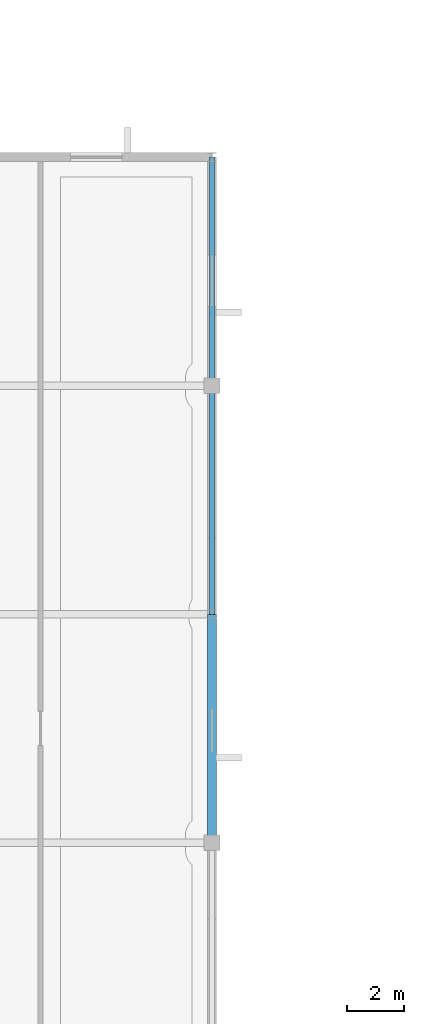
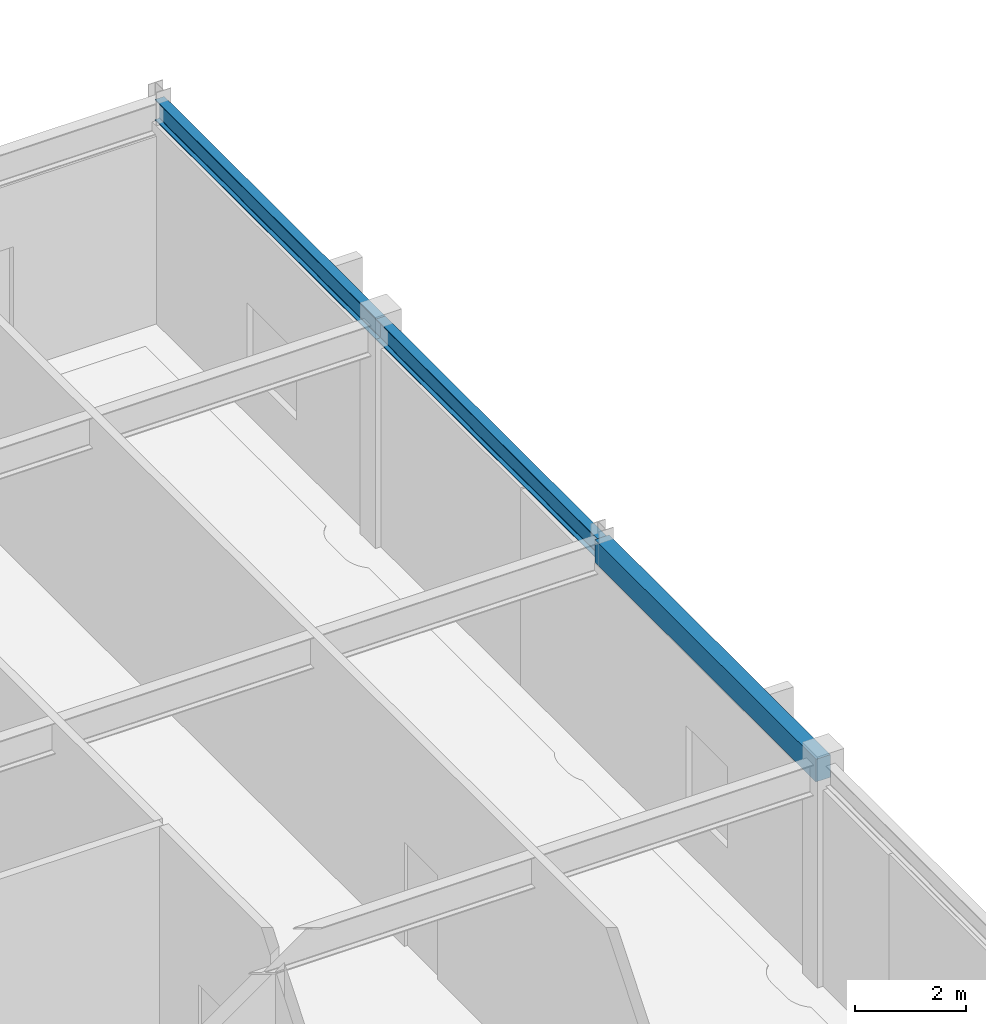
# One storey, part 42 of 107: 3 beams.
"""IFC4 building model written with IfcOpenShell, lengths in metres."""

from ifc_helpers import new_model, si_unit, direction, frame, origin, origin_2d, place, context, subcontext, project, spatial, rectangle, i_section, extrude, material, material_profile, profile_set, type_object, element, save


model = new_model("IFC4")

# Units and contexts
model_context = context("Model", 3, precision=1e-05, world=origin(), true_north=direction((0.0, 1.0)))
body_context = subcontext(model_context, "Body", "Model", "MODEL_VIEW")
ifc_project = project(units=[si_unit("LENGTHUNIT", "METRE"), si_unit("AREAUNIT", "SQUARE_METRE"), si_unit("VOLUMEUNIT", "CUBIC_METRE"), si_unit("PLANEANGLEUNIT", "RADIAN"), si_unit("MASSUNIT", "GRAM", prefix="KILO")], contexts=[model_context])

# Site, building, storey
site_placement = place(None, origin())
site = spatial("IfcSite", under=ifc_project, at=site_placement, CompositionType="ELEMENT")
building_placement = place(site_placement, origin())
building = spatial("IfcBuilding", under=site, at=building_placement, Name="Tarnveldt Square Police Headquarters", CompositionType="ELEMENT")
storey_placement = place(building_placement, frame((0.0, 0.0, 14.699951171875)))
storey = spatial("IfcBuildingStorey", under=building, at=storey_placement, Name="L03", CompositionType="ELEMENT", Elevation=14.699951171875)

# Beams
ifc_material_1 = material(Name="Concrete 40 MPa", Category="concrete")
ifc_material_profile_1 = material_profile(ifc_material_1, rectangle(XDim=0.300048828125, YDim=0.5, at=origin_2d()), Name="RC-B300x500")
ifc_profile_set_1 = profile_set([ifc_material_profile_1], Name="Concrete 40 MPa")
beam_type_1 = type_object("IfcBeamType", Name="BM-RC300x500", PredefinedType="BEAM", material=ifc_profile_set_1)
beam_placement = place(storey_placement, frame((129.60009765625, 72.0, 4.590087890625), z_axis=(0.0, 1.0, 0.0), x_axis=(-1.0, 0.0, 0.0)))
element("IfcBeam", 1, at=beam_placement, inside=storey, type_object=beam_type_1, Name="L04 Grid Girder Y-0916", PredefinedType="BEAM", context=body_context, shape_type="SweptSolid", body=[
    extrude(rectangle(XDim=0.300048828125, YDim=0.5, at=origin_2d()), origin(), (0.0, 0.0, 1.0), 8.0),
])
ifc_material_2 = material(Name="Steel 350W", Category="steel")
ifc_material_profile_2 = material_profile(ifc_material_2, i_section(OverallWidth=0.19189453125, OverallDepth=0.462890625, WebThickness=0.010498046875, FlangeThickness=0.017578125, FilletRadius=0.01806640625, at=origin_2d()), Name="W460x89")
ifc_profile_set_2 = profile_set([ifc_material_profile_2], Name="Steel 350W")
beam_type_2 = type_object("IfcBeamType", Name="BM-W460x89", PredefinedType="BEAM", material=ifc_profile_set_2)
for number, where, z_axis, x_axis, name in (
    (2, (129.60009765625, 80.0, 4.608642578125), (0.0, 1.0, 0.0), (-1.0, 0.0, 0.0), "L04 Grid Girder Y-0917"),
    (3, (129.60009765625, 88.0, 4.608642578125), (0.0, 1.0, 0.0), (-1.0, 0.0, 0.0), "L04 Grid Girder Y-0918"),
):
    element("IfcBeam", number, at=place(storey_placement, frame(where, z_axis=z_axis, x_axis=x_axis)), inside=storey, type_object=beam_type_2, Name=name, PredefinedType="BEAM", context=body_context, shape_type="SweptSolid", body=[
        extrude(i_section(OverallWidth=0.19189453125, OverallDepth=0.462890625, WebThickness=0.010498046875, FlangeThickness=0.017578125, FilletRadius=0.01806640625, at=origin_2d()), origin(), (0.0, 0.0, 1.0), 8.0),
    ])

save(model, "model.ifc")
